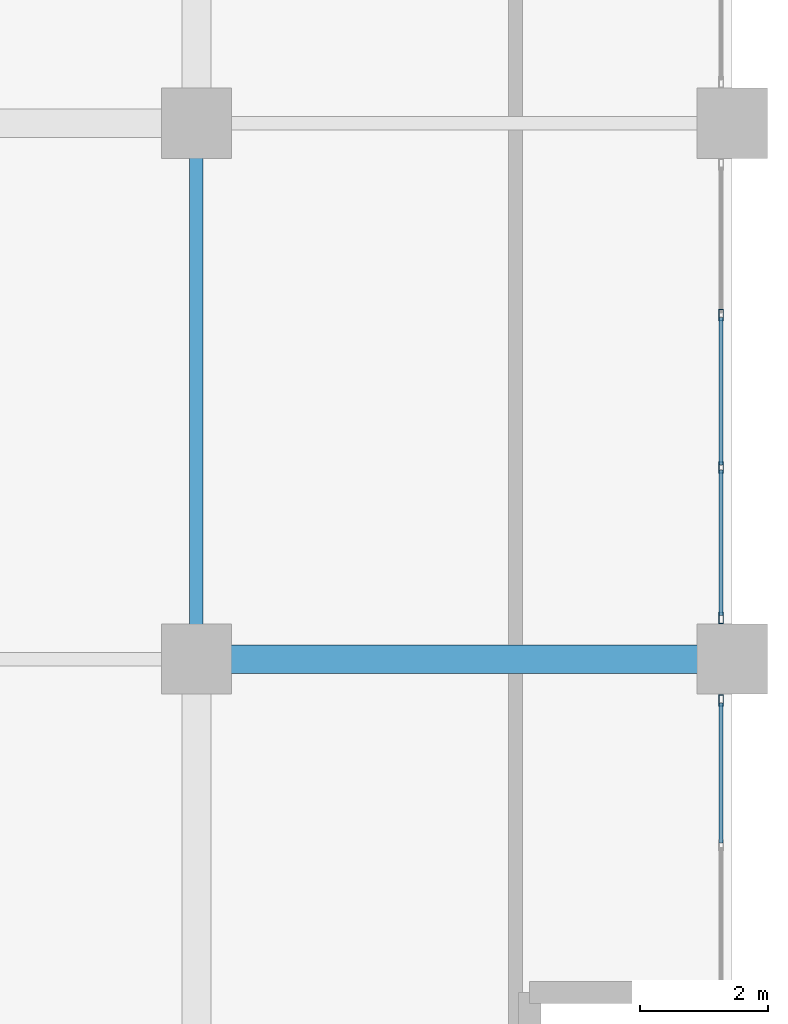
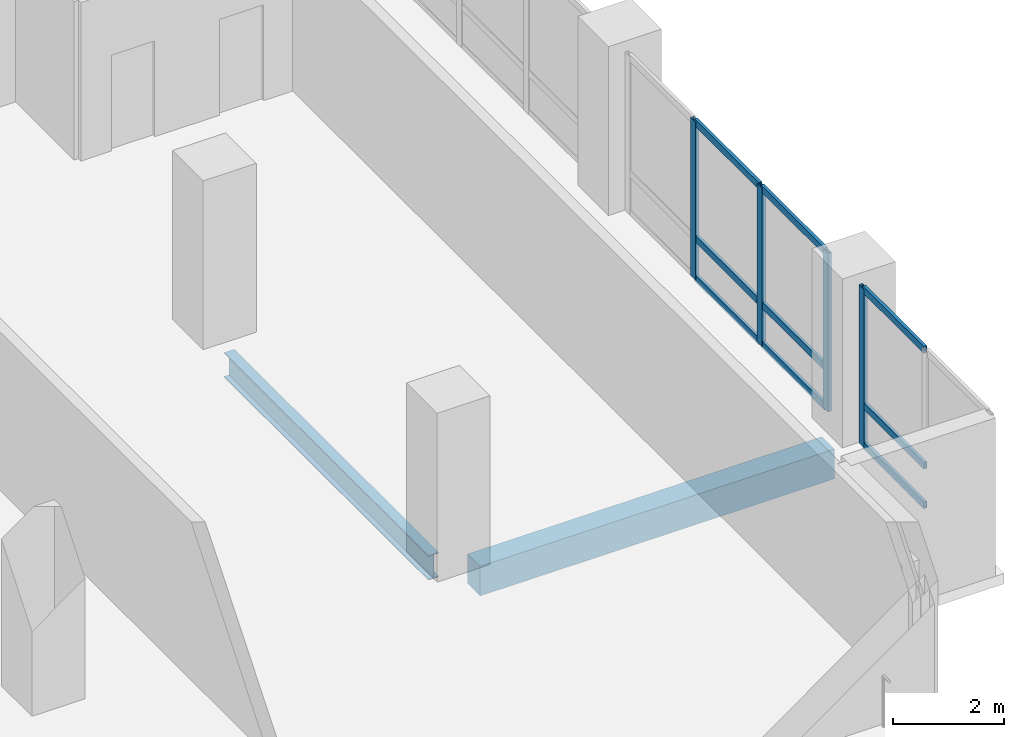
# One storey, part 4 of 22: 13 members, 2 beams, 2 elements without a shape of their own.
"""IFC4 building model written with IfcOpenShell, lengths in metres."""

import ifcopenshell
import ifcopenshell.guid

model = None  # the IFC model being written
_history = None  # IfcOwnerHistory: only IFC2X3 demands one
_inside = {}  # id of a spatial element -> (the spatial element, [elements in it])
_under = {}  # id of a project, library or spatial element -> (it, [spatial elements below it])
_declared = {}  # id of a project -> (the project, [libraries it declares])
_typed = {}  # id of a type object -> (the type object, [elements of that type])
_made_of = {}  # id of a material, layer set ... -> (it, [elements and type objects made of it])


def new_model(schema):
    """Start an empty IFC model of exactly this schema.

    Asked for "IFC4X3", IfcOpenShell would pick the latest addendum, in which some entities
    have other attributes; the version numbers below select the first issue.
    IFC2X3 requires an IfcOwnerHistory on every rooted entity: one is made here for all.
    """
    global model, _history
    if schema == "IFC4X3":
        model = ifcopenshell.file(schema_version=(4, 3, 0, 0))
    else:
        model = ifcopenshell.file(schema=schema)
    _inside.clear()
    _under.clear()
    _declared.clear()
    _typed.clear()
    _made_of.clear()
    _history = None
    if model.schema == "IFC2X3":
        org = make("IfcOrganization", Name="unknown")
        user = make(
            "IfcPersonAndOrganization",
            ThePerson=make("IfcPerson", FamilyName="unknown"),
            TheOrganization=org,
        )
        app = make(
            "IfcApplication",
            ApplicationDeveloper=org,
            Version="unknown",
            ApplicationFullName="unknown",
            ApplicationIdentifier="unknown",
        )
        _history = make(
            "IfcOwnerHistory",
            OwningUser=user,
            OwningApplication=app,
            ChangeAction="ADDED",
            CreationDate=0,
        )
    return model


def make(cls, **values):
    """One entity of the class cls with the attributes given. An attribute that is None is left unset."""
    return model.create_entity(
        cls, **{name: value for name, value in values.items() if value is not None}
    )


def rooted(cls, **values):
    """An entity with a GlobalId (a new one), such as an element, a storey or a relation."""
    return make(cls, GlobalId=ifcopenshell.guid.new(), OwnerHistory=_history, **values)


def si_unit(unit_type, name, prefix=None):
    """IfcSIUnit, for example si_unit("LENGTHUNIT", "METRE", prefix="MILLI")."""
    return make("IfcSIUnit", UnitType=unit_type, Prefix=prefix, Name=name)


def assignment(units):
    """IfcUnitAssignment: the units of a project."""
    return None if units is None else make("IfcUnitAssignment", Units=units)


def point(xyz):
    """IfcCartesianPoint."""
    return None if xyz is None else make("IfcCartesianPoint", Coordinates=xyz)


def direction(xyz):
    """IfcDirection."""
    return None if xyz is None else make("IfcDirection", DirectionRatios=xyz)


def frame(location, z_axis=None, x_axis=None):
    """IfcAxis2Placement3D, a coordinate frame: its origin and axes. An axis left out is left unset."""
    return make(
        "IfcAxis2Placement3D",
        Location=point(location),
        Axis=direction(z_axis),
        RefDirection=direction(x_axis),
    )


def frame_2d(location, x_axis=None):
    """IfcAxis2Placement2D, a coordinate frame in the plane: its origin and x axis."""
    return make(
        "IfcAxis2Placement2D", Location=point(location), RefDirection=direction(x_axis)
    )


def origin():
    """The frame at (0, 0, 0) with its axes left unset."""
    return frame((0.0, 0.0, 0.0))


def origin_2d():
    """The frame at (0, 0) in the plane with its x axis left unset."""
    return frame_2d((0.0, 0.0))


def place(relative_to, where):
    """IfcLocalPlacement: puts the frame where relative to a parent placement (None: the world)."""
    return make(
        "IfcLocalPlacement", PlacementRelTo=relative_to, RelativePlacement=where
    )


def context(
    kind, dimensions, precision=None, world=None, true_north=None, identifier=None
):
    """IfcGeometricRepresentationContext, for example the 3D "Model" context."""
    return make(
        "IfcGeometricRepresentationContext",
        ContextIdentifier=identifier,
        ContextType=kind,
        CoordinateSpaceDimension=dimensions,
        Precision=precision,
        WorldCoordinateSystem=world,
        TrueNorth=true_north,
    )


def subcontext(parent, identifier, kind, view, scale=None):
    """IfcGeometricRepresentationSubContext, for example "Body" below "Model"."""
    return make(
        "IfcGeometricRepresentationSubContext",
        ContextIdentifier=identifier,
        ContextType=kind,
        ParentContext=parent,
        TargetScale=scale,
        TargetView=view,
    )


def project(units=None, contexts=None):
    """IfcProject with its units and contexts."""
    return rooted(
        "IfcProject",
        Name="project",
        RepresentationContexts=contexts,
        UnitsInContext=assignment(units),
    )


def spatial(cls, under=None, at=None, **own):
    """A site, building, storey or space (cls), placed at a placement, below another one or the project."""
    s = rooted(cls, ObjectPlacement=at, **own)
    if under is not None:
        _under.setdefault(under.id(), (under, []))[1].append(s)
    return s


def profile(cls, at=None, kind="AREA", **sizes):
    """A parametric profile (cls). Its sizes go by their IFC names, for example OverallWidth=200.0."""
    return make(cls, ProfileType=kind, Position=at, **sizes)


def rectangle(**sizes):
    """IfcRectangleProfileDef."""
    return profile("IfcRectangleProfileDef", **sizes)


def hollow_rectangle(**sizes):
    """IfcRectangleHollowProfileDef."""
    return profile("IfcRectangleHollowProfileDef", **sizes)


def i_section(**sizes):
    """IfcIShapeProfileDef."""
    return profile("IfcIShapeProfileDef", **sizes)


def extrude(swept, where, along, depth):
    """IfcExtrudedAreaSolid: the profile swept, set in the frame where, extruded along a direction by depth."""
    return make(
        "IfcExtrudedAreaSolid",
        SweptArea=swept,
        Position=where,
        ExtrudedDirection=direction(along),
        Depth=depth,
    )


def shape(context_of_items, identifier, shape_type, items):
    """IfcShapeRepresentation: the items that make up one representation, for example the "Body"."""
    return make(
        "IfcShapeRepresentation",
        ContextOfItems=context_of_items,
        RepresentationIdentifier=identifier,
        RepresentationType=shape_type,
        Items=items,
    )


def material(Name=None, Category=None):
    """IfcMaterial."""
    return make("IfcMaterial", Name=Name, Category=Category)


def layer(
    of_material, thickness, ventilated=None, Name=None, Category=None, Priority=None
):
    """IfcMaterialLayer: one layer of a wall or slab, of a material (None: an air gap)."""
    return make(
        "IfcMaterialLayer",
        Material=of_material,
        LayerThickness=thickness,
        IsVentilated=ventilated,
        Name=Name,
        Category=Category,
        Priority=Priority,
    )


def layer_set(layers, Name=None):
    """IfcMaterialLayerSet."""
    return make("IfcMaterialLayerSet", MaterialLayers=layers, LayerSetName=Name)


def material_profile(
    of_material, cross_section, Name=None, Category=None, Priority=None
):
    """IfcMaterialProfile: a cross section and its material."""
    return make(
        "IfcMaterialProfile",
        Name=Name,
        Material=of_material,
        Profile=cross_section,
        Priority=Priority,
        Category=Category,
    )


def profile_set(profiles, Name=None, composite=None):
    """IfcMaterialProfileSet."""
    return make(
        "IfcMaterialProfileSet",
        Name=Name,
        MaterialProfiles=profiles,
        CompositeProfile=composite,
    )


def made_of(thing, what):
    """Note that an element or type object is made of a material, layer set ...; save() writes the relation."""
    if what is not None:
        _made_of.setdefault(what.id(), (what, []))[1].append(thing)
    return thing


def type_object(cls, material=None, **own):
    """A type object (cls), such as IfcWallType, which elements share."""
    return made_of(rooted(cls, **own), material)


def element(
    cls,
    number,
    at=None,
    inside=None,
    cuts=None,
    type_object=None,
    material=None,
    context=None,
    identifier="Body",
    shape_type=None,
    held_by="IfcProductDefinitionShape",
    body=None,
    shapes=None,
    **own,
):
    """One element of the class cls, such as IfcWall. Its Tag is "e" and its number.

    at: its placement. inside: the storey or other place that contains it. cuts: it is an
    opening in that element (IfcRelVoidsElement). A single representation is given by context,
    identifier, shape_type and body (its items); several are given by shapes. held_by: the class
    of the entity that holds the representations. save() writes the other relations.
    """
    e = rooted(cls, Tag="e%d" % number, ObjectPlacement=at, **own)
    if body is not None:
        shapes = [shape(context, identifier, shape_type, body)]
    if shapes is not None:
        e.Representation = make(held_by, Representations=shapes)
    if inside is not None:
        _inside.setdefault(inside.id(), (inside, []))[1].append(e)
    if cuts is not None:
        rooted(
            "IfcRelVoidsElement", RelatingBuildingElement=cuts, RelatedOpeningElement=e
        )
    if type_object is not None:
        _typed.setdefault(type_object.id(), (type_object, []))[1].append(e)
    return made_of(e, material)


def aggregate(whole, parts):
    """IfcRelAggregates: a whole, such as a stair, and the parts it consists of."""
    return rooted("IfcRelAggregates", RelatingObject=whole, RelatedObjects=parts)


def save(model, path):
    """Write the relations noted so far, then the file.

    IfcRelAggregates (storeys below a building ...), IfcRelContainedInSpatialStructure (elements
    in a storey), IfcRelDefinesByType, IfcRelAssociatesMaterial and IfcRelDeclares: one each for
    every whole, place, type object, material and project.
    """
    for whole, parts in _under.values():
        aggregate(whole, parts)
    for where, things in _inside.values():
        rooted(
            "IfcRelContainedInSpatialStructure",
            RelatedElements=things,
            RelatingStructure=where,
        )
    for kind, things in _typed.values():
        rooted("IfcRelDefinesByType", RelatedObjects=things, RelatingType=kind)
    for what, things in _made_of.values():
        rooted("IfcRelAssociatesMaterial", RelatedObjects=things, RelatingMaterial=what)
    for by, libraries in _declared.values():
        rooted("IfcRelDeclares", RelatingContext=by, RelatedDefinitions=libraries)
    model.write(path)


model = new_model("IFC4")

# Units and contexts
model_context = context("Model", 3, precision=1e-05, world=origin(), true_north=direction((0.0, 1.0)))
body_context = subcontext(model_context, "Body", "Model", "MODEL_VIEW")
ifc_project = project(units=[si_unit("LENGTHUNIT", "METRE"), si_unit("AREAUNIT", "SQUARE_METRE"), si_unit("VOLUMEUNIT", "CUBIC_METRE"), si_unit("PLANEANGLEUNIT", "RADIAN"), si_unit("MASSUNIT", "GRAM", prefix="KILO")], contexts=[model_context])

# Site, building, storey
site_placement = place(None, origin())
site = spatial("IfcSite", under=ifc_project, at=site_placement, CompositionType="ELEMENT")
building_placement = place(site_placement, origin())
building = spatial("IfcBuilding", under=site, at=building_placement, Name="Koriwani Terraces Tower", CompositionType="ELEMENT")
storey_placement = place(building_placement, frame((0.0, 0.0, 168.0)))
storey = spatial("IfcBuildingStorey", under=building, at=storey_placement, Name="L40", CompositionType="ELEMENT", Elevation=168.0)

# Beam
ifc_material_1 = material(Name="Concrete C50/60", Category="concrete")
ifc_material_profile_1 = material_profile(ifc_material_1, rectangle(XDim=0.449951171875, YDim=0.64990234375, at=origin_2d()), Name="Concrete C50/60", Category="LoadBearing")
ifc_profile_set_1 = profile_set([ifc_material_profile_1], Name="Concrete C50/60")
beam_type_1 = type_object("IfcBeamType", Name="BEAM_RC_GRID_450X650", PredefinedType="BEAM", material=ifc_profile_set_1)
beam_1_placement = place(storey_placement, frame((67.72998046875, 8.39990234375, -0.554931640625), z_axis=(1.0, 0.0, 0.0), x_axis=(0.0, 1.0, 0.0)))
element("IfcBeam", 1, at=beam_1_placement, inside=storey, type_object=beam_type_1, Name="L40 Grid Beam B (67.2-75.6m)", PredefinedType="BEAM", context=body_context, shape_type="SweptSolid", body=[
    extrude(rectangle(XDim=0.449951171875, YDim=0.64990234375, at=origin_2d()), origin(), (0.0, 0.0, 1.0), 7.340087890625),
])

# Curtain wall, members
ifc_material_2 = material(Name="Anodised Bronze Aluminium", Category="aluminium")
ifc_layer = layer(ifc_material_2, 0.169921875, Name="Anodised Bronze Aluminium")
ifc_layer_set = layer_set([ifc_layer], Name="Anodised Bronze Aluminium")
curtain_wall_type = type_object("IfcCurtainWallType", Name="CW_RES_ZONE3", PredefinedType="NOTDEFINED", material=ifc_layer_set)
curtain_wall_1_placement = place(storey_placement, origin())
curtain_wall_1 = element("IfcCurtainWall", 2, at=curtain_wall_1_placement, inside=storey, type_object=curtain_wall_type, Name="L40 Unitised Curtain Wall (E_TIP) Bay 3", PredefinedType="NOTDEFINED")
ifc_material_profile_2 = material_profile(ifc_material_2, hollow_rectangle(XDim=0.074951171875, YDim=0.179931640625, WallThickness=0.006103515625, at=origin_2d()), Name="Anodised Bronze Aluminium", Category="LoadBearing")
ifc_profile_set_2 = profile_set([ifc_material_profile_2], Name="Anodised Bronze Aluminium")
member_type_1 = type_object("IfcMemberType", Name="CW_MULLION_180X75", PredefinedType="MULLION", material=ifc_profile_set_2)
member_1_placement = place(storey_placement, frame((75.425048828125, 13.796630859375, 0.0), z_axis=(0.0, 0.0, 1.0), x_axis=(1.0, 0.0, 0.0)))
member_1 = element("IfcMember", 3, at=member_1_placement, type_object=member_type_1, Name="CW-Z3 mullion 2", PredefinedType="MULLION", context=body_context, shape_type="SweptSolid", body=[
    extrude(hollow_rectangle(XDim=0.074951171875, YDim=0.179931640625, WallThickness=0.006103515625, at=origin_2d()), origin(), (0.0, 0.0, 1.0), 3.469970703125),
])
member_2_placement = place(storey_placement, frame((75.425048828125, 11.4033203125, 0.0), z_axis=(0.0, 0.0, 1.0), x_axis=(1.0, 0.0, 0.0)))
member_2 = element("IfcMember", 4, at=member_2_placement, type_object=member_type_1, Name="CW-Z3 mullion 3", PredefinedType="MULLION", context=body_context, shape_type="SweptSolid", body=[
    extrude(hollow_rectangle(XDim=0.074951171875, YDim=0.179931640625, WallThickness=0.006103515625, at=origin_2d()), origin(), (0.0, 0.0, 1.0), 3.469970703125),
])
member_3_placement = place(storey_placement, frame((75.425048828125, 9.047607421875, 0.0), z_axis=(0.0, 0.0, 1.0), x_axis=(1.0, 0.0, 0.0)))
member_3 = element("IfcMember", 5, at=member_3_placement, type_object=member_type_1, Name="CW-Z3 mullion 4", PredefinedType="MULLION", context=body_context, shape_type="SweptSolid", body=[
    extrude(hollow_rectangle(XDim=0.074951171875, YDim=0.179931640625, WallThickness=0.006103515625, at=origin_2d()), origin(), (0.0, 0.0, 1.0), 3.469970703125),
])

# Curtain wall, member
curtain_wall_2_placement = place(storey_placement, origin())
curtain_wall_2 = element("IfcCurtainWall", 6, at=curtain_wall_2_placement, inside=storey, type_object=curtain_wall_type, Name="L40 Unitised Curtain Wall (E_TIP) Bay 4", PredefinedType="NOTDEFINED")
member_4_placement = place(storey_placement, frame((75.425048828125, 7.75244140625, 0.0), z_axis=(0.0, 0.0, 1.0), x_axis=(1.0, 0.0, 0.0)))
member_4 = element("IfcMember", 7, at=member_4_placement, type_object=member_type_1, Name="CW-Z3 mullion 1", PredefinedType="MULLION", context=body_context, shape_type="SweptSolid", body=[
    extrude(hollow_rectangle(XDim=0.074951171875, YDim=0.179931640625, WallThickness=0.006103515625, at=origin_2d()), origin(), (0.0, 0.0, 1.0), 3.469970703125),
])

# Member
ifc_material_profile_3 = material_profile(ifc_material_2, hollow_rectangle(XDim=0.06494140625, YDim=0.14990234375, WallThickness=0.0048828125, at=origin_2d()), Name="Anodised Bronze Aluminium", Category="LoadBearing")
ifc_profile_set_3 = profile_set([ifc_material_profile_3], Name="Anodised Bronze Aluminium")
member_type_2 = type_object("IfcMemberType", Name="CW_TRANSOM_150X65", PredefinedType="USERDEFINED", material=ifc_profile_set_3)
member_5_placement = place(storey_placement, frame((75.425048828125, 13.75927734375, 0.032470703125), z_axis=(0.0, -1.0, 0.0), x_axis=(1.0, 0.0, 0.0)))
member_5 = element("IfcMember", 8, at=member_5_placement, type_object=member_type_2, Name="CW-Z3 transom 2.1", ObjectType="TRANSOM", PredefinedType="USERDEFINED", context=body_context, shape_type="SweptSolid", body=[
    extrude(hollow_rectangle(XDim=0.06494140625, YDim=0.14990234375, WallThickness=0.0048828125, at=origin_2d()), origin(), (0.0, 0.0, 1.0), 2.318359375),
])

member_6_placement = place(storey_placement, frame((75.425048828125, 13.75927734375, 0.89990234375), z_axis=(0.0, -1.0, 0.0), x_axis=(1.0, 0.0, 0.0)))
member_6 = element("IfcMember", 9, at=member_6_placement, type_object=member_type_2, Name="CW-Z3 transom 2.2", ObjectType="TRANSOM", PredefinedType="USERDEFINED", context=body_context, shape_type="SweptSolid", body=[
    extrude(hollow_rectangle(XDim=0.06494140625, YDim=0.14990234375, WallThickness=0.0048828125, at=origin_2d()), origin(), (0.0, 0.0, 1.0), 2.318359375),
])

member_7_placement = place(storey_placement, frame((75.425048828125, 13.75927734375, 3.4375), z_axis=(0.0, -1.0, 0.0), x_axis=(1.0, 0.0, 0.0)))
member_7 = element("IfcMember", 10, at=member_7_placement, type_object=member_type_2, Name="CW-Z3 transom 2.3", ObjectType="TRANSOM", PredefinedType="USERDEFINED", context=body_context, shape_type="SweptSolid", body=[
    extrude(hollow_rectangle(XDim=0.06494140625, YDim=0.14990234375, WallThickness=0.0048828125, at=origin_2d()), origin(), (0.0, 0.0, 1.0), 2.318359375),
])

member_8_placement = place(storey_placement, frame((75.425048828125, 11.36572265625, 0.032470703125), z_axis=(0.0, -1.0, 0.0), x_axis=(1.0, 0.0, 0.0)))
member_8 = element("IfcMember", 11, at=member_8_placement, type_object=member_type_2, Name="CW-Z3 transom 3.1", ObjectType="TRANSOM", PredefinedType="USERDEFINED", context=body_context, shape_type="SweptSolid", body=[
    extrude(hollow_rectangle(XDim=0.06494140625, YDim=0.14990234375, WallThickness=0.0048828125, at=origin_2d()), origin(), (0.0, 0.0, 1.0), 2.28076171875),
])

member_9_placement = place(storey_placement, frame((75.425048828125, 11.36572265625, 0.89990234375), z_axis=(0.0, -1.0, 0.0), x_axis=(1.0, 0.0, 0.0)))
member_9 = element("IfcMember", 12, at=member_9_placement, type_object=member_type_2, Name="CW-Z3 transom 3.2", ObjectType="TRANSOM", PredefinedType="USERDEFINED", context=body_context, shape_type="SweptSolid", body=[
    extrude(hollow_rectangle(XDim=0.06494140625, YDim=0.14990234375, WallThickness=0.0048828125, at=origin_2d()), origin(), (0.0, 0.0, 1.0), 2.28076171875),
])

member_10_placement = place(storey_placement, frame((75.425048828125, 11.36572265625, 3.4375), z_axis=(0.0, -1.0, 0.0), x_axis=(1.0, 0.0, 0.0)))
member_10 = element("IfcMember", 13, at=member_10_placement, type_object=member_type_2, Name="CW-Z3 transom 3.3", ObjectType="TRANSOM", PredefinedType="USERDEFINED", context=body_context, shape_type="SweptSolid", body=[
    extrude(hollow_rectangle(XDim=0.06494140625, YDim=0.14990234375, WallThickness=0.0048828125, at=origin_2d()), origin(), (0.0, 0.0, 1.0), 2.28076171875),
])

aggregate(curtain_wall_1, [member_1, member_2, member_3, member_5, member_6, member_7, member_8, member_9, member_10])

member_11_placement = place(storey_placement, frame((75.425048828125, 7.715087890625, 0.032470703125), z_axis=(0.0, -1.0, 0.0), x_axis=(1.0, 0.0, 0.0)))
member_11 = element("IfcMember", 14, at=member_11_placement, type_object=member_type_2, Name="CW-Z3 transom 1.1", ObjectType="TRANSOM", PredefinedType="USERDEFINED", context=body_context, shape_type="SweptSolid", body=[
    extrude(hollow_rectangle(XDim=0.06494140625, YDim=0.14990234375, WallThickness=0.0048828125, at=origin_2d()), origin(), (0.0, 0.0, 1.0), 2.195068359375),
])

member_12_placement = place(storey_placement, frame((75.425048828125, 7.715087890625, 0.89990234375), z_axis=(0.0, -1.0, 0.0), x_axis=(1.0, 0.0, 0.0)))
member_12 = element("IfcMember", 15, at=member_12_placement, type_object=member_type_2, Name="CW-Z3 transom 1.2", ObjectType="TRANSOM", PredefinedType="USERDEFINED", context=body_context, shape_type="SweptSolid", body=[
    extrude(hollow_rectangle(XDim=0.06494140625, YDim=0.14990234375, WallThickness=0.0048828125, at=origin_2d()), origin(), (0.0, 0.0, 1.0), 2.195068359375),
])

member_13_placement = place(storey_placement, frame((75.425048828125, 7.715087890625, 3.4375), z_axis=(0.0, -1.0, 0.0), x_axis=(1.0, 0.0, 0.0)))
member_13 = element("IfcMember", 16, at=member_13_placement, type_object=member_type_2, Name="CW-Z3 transom 1.3", ObjectType="TRANSOM", PredefinedType="USERDEFINED", context=body_context, shape_type="SweptSolid", body=[
    extrude(hollow_rectangle(XDim=0.06494140625, YDim=0.14990234375, WallThickness=0.0048828125, at=origin_2d()), origin(), (0.0, 0.0, 1.0), 2.195068359375),
])

aggregate(curtain_wall_2, [member_4, member_11, member_12, member_13])

# Beam
ifc_material_3 = material(Name="Steel ASTM A572 Grade 50", Category="steel")
ifc_material_profile_4 = material_profile(ifc_material_3, i_section(OverallWidth=0.2119140625, OverallDepth=0.54296875, WebThickness=0.0126953125, FlangeThickness=0.021240234375, at=origin_2d()), Name="Steel ASTM A572 Grade 50", Category="LoadBearing")
ifc_profile_set_4 = profile_set([ifc_material_profile_4], Name="Steel ASTM A572 Grade 50")
beam_type_2 = type_object("IfcBeamType", Name="STEEL_BEAM_W530X150", PredefinedType="BEAM", material=ifc_profile_set_4)
beam_2_placement = place(storey_placement, frame((67.199951171875, 8.929931640625, -0.50146484375), z_axis=(0.0, 1.0, 0.0), x_axis=(-1.0, 0.0, 0.0)))
element("IfcBeam", 17, at=beam_2_placement, inside=storey, type_object=beam_type_2, Name="L40 Grid Beam 9 (8.4-16.8m)", PredefinedType="BEAM", context=body_context, shape_type="SweptSolid", body=[
    extrude(i_section(OverallWidth=0.2119140625, OverallDepth=0.54296875, WebThickness=0.0126953125, FlangeThickness=0.021240234375, at=origin_2d()), origin(), (0.0, 0.0, 1.0), 7.340087890625),
])

save(model, "model.ifc")
